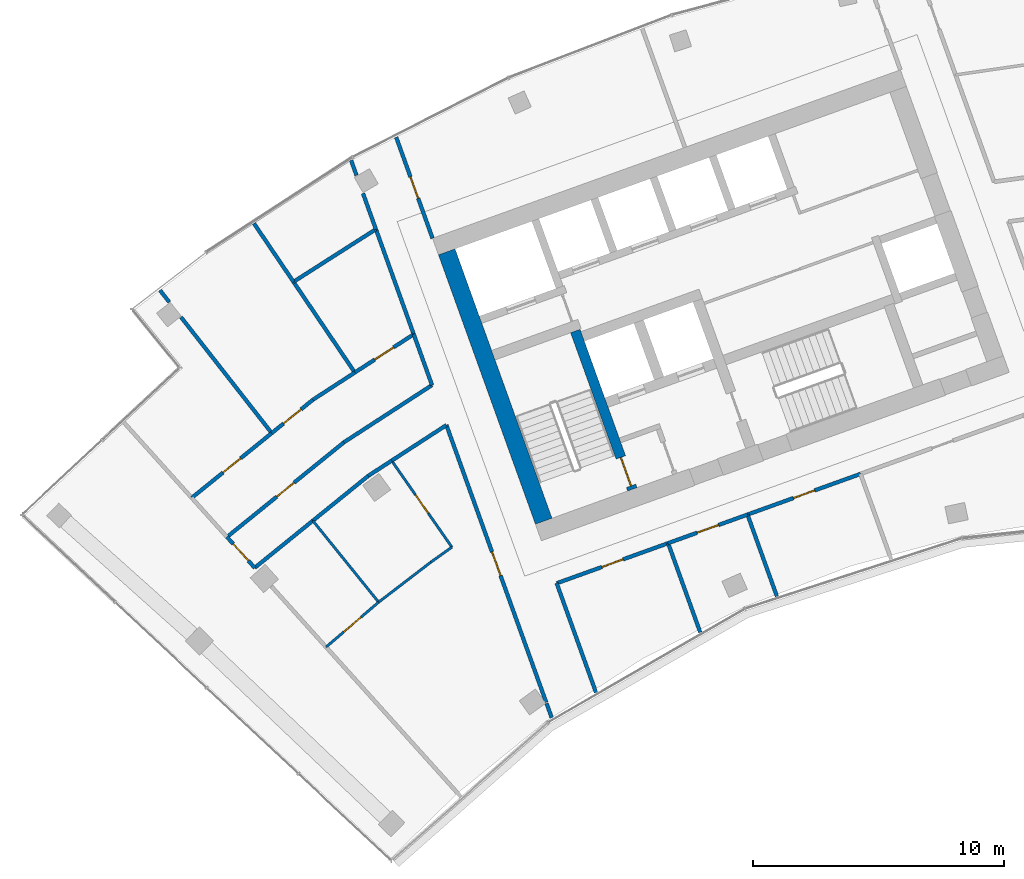
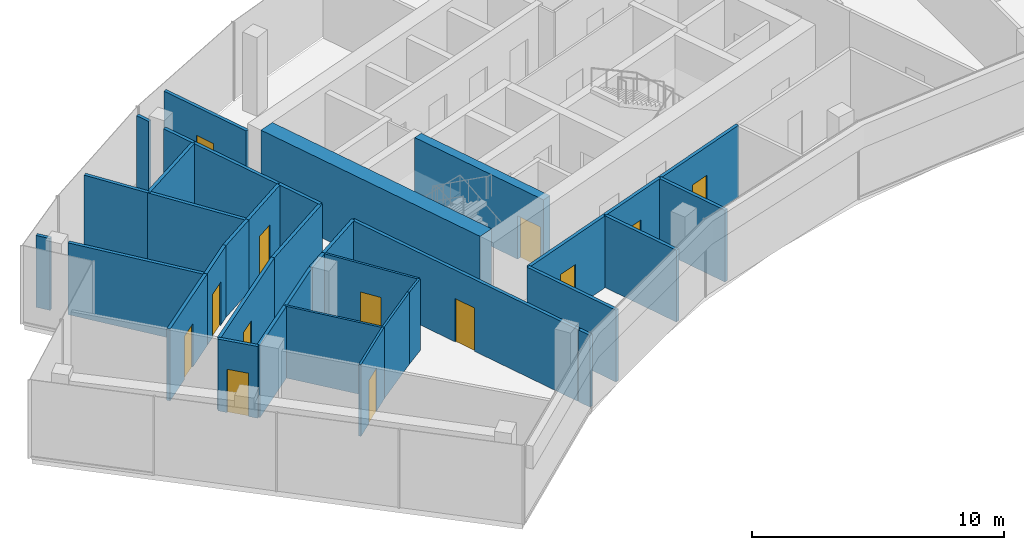
# One storey, part 12 of 18: 36 walls, 13 doors, 13 openings.
"""IFC4 building model written with IfcOpenShell, lengths in metres."""

from ifc_helpers import new_model, si_unit, direction, frame, frame_2d, origin, place, context, subcontext, project, spatial, rectangle, extrude, material, layer, layer_set, type_object, element, fill, save


model = new_model("IFC4")

# Units and contexts
model_context = context("Model", 3, precision=1e-05, world=origin(), true_north=direction((0.0, 1.0)))
body_context = subcontext(model_context, "Body", "Model", "MODEL_VIEW")
ifc_project = project(units=[si_unit("LENGTHUNIT", "METRE"), si_unit("AREAUNIT", "SQUARE_METRE"), si_unit("VOLUMEUNIT", "CUBIC_METRE"), si_unit("PLANEANGLEUNIT", "RADIAN"), si_unit("MASSUNIT", "GRAM", prefix="KILO")], contexts=[model_context])

# Site, building, storey
site_placement = place(None, origin())
site = spatial("IfcSite", under=ifc_project, at=site_placement, CompositionType="ELEMENT")
building_placement = place(site_placement, origin())
building = spatial("IfcBuilding", under=site, at=building_placement, Name="Stone Belt Terrace Tower", CompositionType="ELEMENT")
storey_placement = place(building_placement, frame((0.0, 0.0, 299.800048828125)))
storey = spatial("IfcBuildingStorey", under=building, at=storey_placement, Name="L73", CompositionType="ELEMENT", Elevation=299.800048828125)

# Wall
ifc_material_1 = material(Name="Concrete B60", Category="concrete")
ifc_layer_1 = layer(ifc_material_1, 0.699951171875)
ifc_layer_set_1 = layer_set([ifc_layer_1], Name="Core wall 700 B60")
wall_type_1 = type_object("IfcWallType", Name="Core wall 700 B60", PredefinedType="SHEAR", material=ifc_layer_set_1)
wall_1_placement = place(storey_placement, frame((-25.679931640625, 43.153564453125, 0.0), z_axis=(0.0, 0.0, 1.0), x_axis=(-0.338625431531, 0.940921259788, 0.0)))
element("IfcWall", 1, at=wall_1_placement, inside=storey, type_object=wall_type_1, Name="Core A wall end_a L73", PredefinedType="SHEAR", context=body_context, shape_type="SweptSolid", body=[
    extrude(rectangle(XDim=11.400146484375, YDim=0.699951171875, at=frame_2d((5.7001953125, 0.0))), origin(), (0.0, 0.0, 1.0), 3.800048828125),
])

# Wall, opening, door
ifc_material_2 = material(Name="Gypsum board partition")
ifc_layer_2 = layer(ifc_material_2, 0.10009765625)
ifc_layer_set_2 = layer_set([ifc_layer_2], Name="PARTITION 100")
wall_type_2 = type_object("IfcWallType", Name="PARTITION 100", PredefinedType="PARTITIONING", material=ifc_layer_set_2)
wall_2_placement = place(storey_placement, frame((-34.345947265625, 38.14501953125, 0.0), z_axis=(0.0, 0.0, 1.0), x_axis=(0.760714101822, 0.649087093763, 0.0)))
wall_2 = element("IfcWall", 2, at=wall_2_placement, inside=storey, type_object=wall_type_2, Name="L73/wall/i053", PredefinedType="PARTITIONING", context=body_context, shape_type="SweptSolid", body=[
    extrude(rectangle(XDim=2.75146484375, YDim=0.10009765625, at=frame_2d((1.375732421875, 0.0))), origin(), (0.0, 0.0, 1.0), 3.47998046875),
])
opening_1_placement = place(wall_2_placement, frame((0.92578125, 0.0, 0.0)))
opening_1 = element("IfcOpeningElement", 3, at=opening_1_placement, cuts=wall_2, Name="Opening D-E5-15", PredefinedType="OPENING", context=body_context, shape_type="SweptSolid", body=[
    extrude(rectangle(XDim=0.89990234375, YDim=2.10009765625, at=frame_2d((0.449951171875, 1.050048828125))), frame((0.0, 0.06005859375, 0.0), z_axis=(0.0, -1.0, 0.0), x_axis=(1.0, 0.0, 0.0)), (0.0, 0.0, 1.0), 0.1201171875),
])
ifc_material_3 = material(Name="Timber door leaf", Category="wood")
door_type_1 = type_object("IfcDoorType", Name="OFFICE DOOR 900 X 2100", OperationType="NOTDEFINED", PredefinedType="DOOR", material=ifc_material_3)
door_1_placement = place(opening_1_placement, origin())
door_1 = element("IfcDoor", 4, at=door_1_placement, inside=storey, type_object=door_type_1, Name="L73/door/i15", OperationType="SINGLE_SWING_RIGHT", OverallHeight=2.10009765625, OverallWidth=0.89990234375, PredefinedType="DOOR", context=body_context, shape_type="SweptSolid", body=[
    extrude(rectangle(XDim=0.89990234375, YDim=2.10009765625, at=frame_2d((0.449951171875, 1.050048828125))), frame((0.0, 0.02490234375, 0.0), z_axis=(0.0, -1.0, 0.0), x_axis=(1.0, 0.0, 0.0)), (0.0, 0.0, 1.0), 0.050048828125),
])
fill(opening_1, door_1)

# Walls
wall_3_placement = place(storey_placement, frame((-32.2529296875, 39.930908203125, 0.0), z_axis=(0.0, 0.0, 1.0), x_axis=(0.793612352495, 0.608423728965, 0.0)))
element("IfcWall", 5, at=wall_3_placement, inside=storey, type_object=wall_type_2, Name="L73/wall/i054", PredefinedType="PARTITIONING", context=body_context, shape_type="SweptSolid", body=[
    extrude(rectangle(XDim=2.62353515625, YDim=0.10009765625, at=frame_2d((1.311767578125, 0.0))), origin(), (0.0, 0.0, 1.0), 3.47998046875),
])
wall_4_placement = place(storey_placement, frame((-30.1708984375, 41.527099609375, 0.0), z_axis=(0.0, 0.0, 1.0), x_axis=(0.814842783231, 0.579682015088, 0.0)))
element("IfcWall", 6, at=wall_4_placement, inside=storey, type_object=wall_type_2, Name="L73/wall/i055", PredefinedType="PARTITIONING", context=body_context, shape_type="SweptSolid", body=[
    extrude(rectangle(XDim=1.024658203125, YDim=0.10009765625, at=frame_2d((0.51220703125, 0.0))), origin(), (0.0, 0.0, 1.0), 3.47998046875),
])

# Wall, opening, door
wall_5_placement = place(storey_placement, frame((-29.3359375, 42.12109375, 0.0), z_axis=(0.0, 0.0, 1.0), x_axis=(-0.571618252219, 0.820519697344, 0.0)))
wall_5 = element("IfcWall", 7, at=wall_5_placement, inside=storey, type_object=wall_type_2, Name="L73/wall/i056", PredefinedType="PARTITIONING", context=body_context, shape_type="SweptSolid", body=[
    extrude(rectangle(XDim=4.197265625, YDim=0.10009765625, at=frame_2d((2.0986328125, 0.0))), origin(), (0.0, 0.0, 1.0), 3.47998046875),
])
opening_2_placement = place(wall_5_placement, frame((1.648681640625, 0.0, 0.0)))
opening_2 = element("IfcOpeningElement", 8, at=opening_2_placement, cuts=wall_5, Name="Opening D-E5-16", PredefinedType="OPENING", context=body_context, shape_type="SweptSolid", body=[
    extrude(rectangle(XDim=0.89990234375, YDim=2.10009765625, at=frame_2d((0.449951171875, 1.050048828125))), frame((0.0, 0.06005859375, 0.0), z_axis=(0.0, -1.0, 0.0), x_axis=(1.0, 0.0, 0.0)), (0.0, 0.0, 1.0), 0.1201171875),
])
door_2_placement = place(opening_2_placement, origin())
door_2 = element("IfcDoor", 9, at=door_2_placement, inside=storey, type_object=door_type_1, Name="L73/door/i16", OperationType="SINGLE_SWING_RIGHT", OverallHeight=2.10009765625, OverallWidth=0.89990234375, PredefinedType="DOOR", context=body_context, shape_type="SweptSolid", body=[
    extrude(rectangle(XDim=0.89990234375, YDim=2.10009765625, at=frame_2d((0.449951171875, 1.050048828125))), frame((0.0, 0.02490234375, 0.0), z_axis=(0.0, -1.0, 0.0), x_axis=(1.0, 0.0, 0.0)), (0.0, 0.0, 1.0), 0.050048828125),
])
fill(opening_2, door_2)

# Walls
wall_6_placement = place(storey_placement, frame((-34.873046875, 43.174072265625, 0.0), z_axis=(0.0, 0.0, 1.0), x_axis=(0.628429786717, -0.777866314457, 0.0)))
element("IfcWall", 10, at=wall_6_placement, inside=storey, type_object=wall_type_2, Name="L73/wall/i057", PredefinedType="PARTITIONING", context=body_context, shape_type="SweptSolid", body=[
    extrude(rectangle(XDim=4.169189453125, YDim=0.10009765625, at=frame_2d((2.08447265625, 0.0))), origin(), (0.0, 0.0, 1.0), 3.47998046875),
])
ifc_layer_3 = layer(ifc_material_2, 0.14990234375)
ifc_layer_set_3 = layer_set([ifc_layer_3], Name="PARTITION 150 EI 60")
wall_type_3 = type_object("IfcWallType", Name="PARTITION 150 EI 60", PredefinedType="PARTITIONING", material=ifc_layer_set_3)
wall_7_placement = place(storey_placement, frame((-25.1650390625, 40.68896484375, 0.0), z_axis=(0.0, 0.0, 1.0), x_axis=(0.338609342271, -0.94092704995, 0.0)))
element("IfcWall", 11, at=wall_7_placement, inside=storey, type_object=wall_type_3, Name="L73/wall/i001", PredefinedType="PARTITIONING", context=body_context, shape_type="SweptSolid", body=[
    extrude(rectangle(XDim=4.6318359375, YDim=0.14990234375, at=frame_2d((2.31591796875, 0.0))), origin(), (0.0, 0.0, 1.0), 3.47998046875),
])

# Wall, opening, door
wall_8_placement = place(storey_placement, frame((-31.556884765625, 58.4521484375, 0.0), z_axis=(0.0, 0.0, 1.0), x_axis=(0.338580264222, -0.940937513695, 0.0)))
wall_8 = element("IfcWall", 12, at=wall_8_placement, inside=storey, type_object=wall_type_3, Name="L73/wall/i002", PredefinedType="PARTITIONING", context=body_context, shape_type="SweptSolid", body=[
    extrude(rectangle(XDim=4.285400390625, YDim=0.14990234375, at=frame_2d((2.142578125, 0.0))), origin(), (0.0, 0.0, 1.0), 3.47998046875),
])
opening_3_placement = place(wall_8_placement, frame((1.692626953125, 0.0, 0.0)))
opening_3 = element("IfcOpeningElement", 13, at=opening_3_placement, cuts=wall_8, Name="Opening D-E5-05", PredefinedType="OPENING", context=body_context, shape_type="SweptSolid", body=[
    extrude(rectangle(XDim=0.89990234375, YDim=2.10009765625, at=frame_2d((0.449951171875, 1.050048828125))), frame((0.0, 0.0849609375, 0.0), z_axis=(0.0, -1.0, 0.0), x_axis=(1.0, 0.0, 0.0)), (0.0, 0.0, 1.0), 0.169921875),
])
door_3_placement = place(opening_3_placement, origin())
door_3 = element("IfcDoor", 14, at=door_3_placement, inside=storey, type_object=door_type_1, Name="L73/door/i05", OperationType="SINGLE_SWING_RIGHT", OverallHeight=2.10009765625, OverallWidth=0.89990234375, PredefinedType="DOOR", context=body_context, shape_type="SweptSolid", body=[
    extrude(rectangle(XDim=0.89990234375, YDim=2.10009765625, at=frame_2d((0.449951171875, 1.050048828125))), frame((0.0, 0.02490234375, 0.0), z_axis=(0.0, -1.0, 0.0), x_axis=(1.0, 0.0, 0.0)), (0.0, 0.0, 1.0), 0.050048828125),
])
fill(opening_3, door_3)

# Wall
wall_9_placement = place(storey_placement, frame((-25.361083984375, 35.329833984375, 0.0), z_axis=(0.0, 0.0, 1.0), x_axis=(-0.338633814852, 0.940918242696, 0.0)))
element("IfcWall", 15, at=wall_9_placement, inside=storey, type_object=wall_type_3, Name="L73/wall/i003", PredefinedType="PARTITIONING", context=body_context, shape_type="SweptSolid", body=[
    extrude(rectangle(XDim=0.605712890625, YDim=0.14990234375, at=frame_2d((0.302734375, 0.0))), origin(), (0.0, 0.0, 1.0), 3.47998046875),
])

# Wall, opening, door
wall_10_placement = place(storey_placement, frame((-25.5810546875, 35.94091796875, 0.0), z_axis=(0.0, 0.0, 1.0), x_axis=(-0.338660555828, 0.940908618265, 0.0)))
wall_10 = element("IfcWall", 16, at=wall_10_placement, inside=storey, type_object=wall_type_3, Name="L73/wall/i004", PredefinedType="PARTITIONING", context=body_context, shape_type="SweptSolid", body=[
    extrude(rectangle(XDim=11.73974609375, YDim=0.14990234375, at=frame_2d((5.869873046875, 0.0))), origin(), (0.0, 0.0, 1.0), 3.47998046875),
])
opening_4_placement = place(wall_10_placement, frame((5.369873046875, 0.0, 0.0)))
opening_4 = element("IfcOpeningElement", 17, at=opening_4_placement, cuts=wall_10, Name="Opening D-E5-14", PredefinedType="OPENING", context=body_context, shape_type="SweptSolid", body=[
    extrude(rectangle(XDim=1.0, YDim=2.10009765625, at=frame_2d((0.5, 1.050048828125))), frame((0.0, 0.0849609375, 0.0), z_axis=(0.0, -1.0, 0.0), x_axis=(1.0, 0.0, 0.0)), (0.0, 0.0, 1.0), 0.169921875),
])
ifc_material_4 = material(Name="Timber fire door leaf", Category="wood")
door_type_2 = type_object("IfcDoorType", Name="TENANCY ENTRANCE DOOR 1000 X 2100", OperationType="NOTDEFINED", PredefinedType="DOOR", material=ifc_material_4)
door_4_placement = place(opening_4_placement, origin())
door_4 = element("IfcDoor", 18, at=door_4_placement, inside=storey, type_object=door_type_2, Name="L73/door/i14", OperationType="SINGLE_SWING_LEFT", OverallHeight=2.10009765625, OverallWidth=1.0, PredefinedType="DOOR", context=body_context, shape_type="SweptSolid", body=[
    extrude(rectangle(XDim=1.0, YDim=2.10009765625, at=frame_2d((0.5, 1.050048828125))), frame((0.0, 0.02490234375, 0.0), z_axis=(0.0, -1.0, 0.0), x_axis=(1.0, 0.0, 0.0)), (0.0, 0.0, 1.0), 0.050048828125),
])
fill(opening_4, door_4)

# Walls
wall_11_placement = place(storey_placement, frame((-30.1259765625, 48.568115234375, 0.0), z_axis=(0.0, 0.0, 1.0), x_axis=(-0.338315840616, 0.941032620045, 0.0)))
element("IfcWall", 19, at=wall_11_placement, inside=storey, type_object=wall_type_3, Name="L73/wall/i005", PredefinedType="PARTITIONING", context=body_context, shape_type="SweptSolid", body=[
    extrude(rectangle(XDim=2.16357421875, YDim=0.14990234375, at=frame_2d((1.081787109375, 0.0))), origin(), (0.0, 0.0, 1.0), 3.47998046875),
])
wall_12_placement = place(storey_placement, frame((-30.85400390625, 50.592041015625, 0.0), z_axis=(0.0, 0.0, 1.0), x_axis=(-0.338676809605, 0.940902767897, 0.0)))
element("IfcWall", 20, at=wall_12_placement, inside=storey, type_object=wall_type_3, Name="L73/wall/i006", PredefinedType="PARTITIONING", context=body_context, shape_type="SweptSolid", body=[
    extrude(rectangle(XDim=4.45849609375, YDim=0.14990234375, at=frame_2d((2.229248046875, 0.0))), origin(), (0.0, 0.0, 1.0), 3.47998046875),
])
wall_13_placement = place(storey_placement, frame((-32.360107421875, 54.77490234375, 0.0), z_axis=(0.0, 0.0, 1.0), x_axis=(-0.338469522462, 0.940977354863, 0.0)))
element("IfcWall", 21, at=wall_13_placement, inside=storey, type_object=wall_type_3, Name="L73/wall/i007", PredefinedType="PARTITIONING", context=body_context, shape_type="SweptSolid", body=[
    extrude(rectangle(XDim=1.52197265625, YDim=0.14990234375, at=frame_2d((0.760986328125, 0.0))), origin(), (0.0, 0.0, 1.0), 3.47998046875),
])
wall_14_placement = place(storey_placement, frame((-33.134765625, 56.928466796875, 0.0), z_axis=(0.0, 0.0, 1.0), x_axis=(-0.338733145318, 0.94088248802, 0.0)))
element("IfcWall", 22, at=wall_14_placement, inside=storey, type_object=wall_type_3, Name="L73/wall/i008", PredefinedType="PARTITIONING", context=body_context, shape_type="SweptSolid", body=[
    extrude(rectangle(XDim=0.632080078125, YDim=0.14990234375, at=frame_2d((0.31591796875, 0.0))), origin(), (0.0, 0.0, 1.0), 3.47998046875),
])

# Wall, opening, door
wall_15_placement = place(storey_placement, frame((-20.719970703125, 42.281982421875, 0.0), z_axis=(0.0, 0.0, 1.0), x_axis=(-0.94093090438, -0.338598631396, 0.0)))
wall_15 = element("IfcWall", 23, at=wall_15_placement, inside=storey, type_object=wall_type_3, Name="L73/wall/i015", PredefinedType="PARTITIONING", context=body_context, shape_type="SweptSolid", body=[
    extrude(rectangle(XDim=4.721923828125, YDim=0.14990234375, at=frame_2d((2.36083984375, 0.0))), origin(), (0.0, 0.0, 1.0), 3.47998046875),
])
opening_5_placement = place(wall_15_placement, frame((1.910888671875, 0.0, 0.0)))
opening_5 = element("IfcOpeningElement", 24, at=opening_5_placement, cuts=wall_15, Name="Opening D-E5-01", PredefinedType="OPENING", context=body_context, shape_type="SweptSolid", body=[
    extrude(rectangle(XDim=0.89990234375, YDim=2.10009765625, at=frame_2d((0.449951171875, 1.050048828125))), frame((0.0, 0.0849609375, 0.0), z_axis=(0.0, -1.0, 0.0), x_axis=(1.0, 0.0, 0.0)), (0.0, 0.0, 1.0), 0.169921875),
])
door_5_placement = place(opening_5_placement, origin())
door_5 = element("IfcDoor", 25, at=door_5_placement, inside=storey, type_object=door_type_1, Name="L73/door/i01", OperationType="SINGLE_SWING_RIGHT", OverallHeight=2.10009765625, OverallWidth=0.89990234375, PredefinedType="DOOR", context=body_context, shape_type="SweptSolid", body=[
    extrude(rectangle(XDim=0.89990234375, YDim=2.10009765625, at=frame_2d((0.449951171875, 1.050048828125))), frame((0.0, 0.02490234375, 0.0), z_axis=(0.0, -1.0, 0.0), x_axis=(1.0, 0.0, 0.0)), (0.0, 0.0, 1.0), 0.050048828125),
])
fill(opening_5, door_5)

wall_16_placement = place(storey_placement, frame((-17.56005859375, 43.419921875, 0.0), z_axis=(0.0, 0.0, 1.0), x_axis=(-0.940890181469, -0.338711774841, 0.0)))
wall_16 = element("IfcWall", 26, at=wall_16_placement, inside=storey, type_object=wall_type_3, Name="L73/wall/i016", PredefinedType="PARTITIONING", context=body_context, shape_type="SweptSolid", body=[
    extrude(rectangle(XDim=3.37109375, YDim=0.14990234375, at=frame_2d((1.685546875, 0.0))), origin(), (0.0, 0.0, 1.0), 3.47998046875),
])
opening_6_placement = place(wall_16_placement, frame((1.235595703125, 0.0, 0.0)))
opening_6 = element("IfcOpeningElement", 27, at=opening_6_placement, cuts=wall_16, Name="Opening D-E5-02", PredefinedType="OPENING", context=body_context, shape_type="SweptSolid", body=[
    extrude(rectangle(XDim=0.89990234375, YDim=2.10009765625, at=frame_2d((0.449951171875, 1.050048828125))), frame((0.0, 0.0849609375, 0.0), z_axis=(0.0, -1.0, 0.0), x_axis=(1.0, 0.0, 0.0)), (0.0, 0.0, 1.0), 0.169921875),
])
door_6_placement = place(opening_6_placement, origin())
door_6 = element("IfcDoor", 28, at=door_6_placement, inside=storey, type_object=door_type_1, Name="L73/door/i02", OperationType="SINGLE_SWING_RIGHT", OverallHeight=2.10009765625, OverallWidth=0.89990234375, PredefinedType="DOOR", context=body_context, shape_type="SweptSolid", body=[
    extrude(rectangle(XDim=0.89990234375, YDim=2.10009765625, at=frame_2d((0.449951171875, 1.050048828125))), frame((0.0, 0.02490234375, 0.0), z_axis=(0.0, -1.0, 0.0), x_axis=(1.0, 0.0, 0.0)), (0.0, 0.0, 1.0), 0.050048828125),
])
fill(opening_6, door_6)

wall_17_placement = place(storey_placement, frame((-13.06103515625, 45.0390625, 0.0), z_axis=(0.0, 0.0, 1.0), x_axis=(-0.94092441718, -0.338616658118, 0.0)))
wall_17 = element("IfcWall", 29, at=wall_17_placement, inside=storey, type_object=wall_type_3, Name="L73/wall/i017", PredefinedType="PARTITIONING", context=body_context, shape_type="SweptSolid", body=[
    extrude(rectangle(XDim=4.793212890625, YDim=0.14990234375, at=frame_2d((2.396484375, 0.0))), origin(), (0.0, 0.0, 1.0), 3.47998046875),
])
opening_7_placement = place(wall_17_placement, frame((1.946533203125, 0.0, 0.0)))
opening_7 = element("IfcOpeningElement", 30, at=opening_7_placement, cuts=wall_17, Name="Opening D-E5-03", PredefinedType="OPENING", context=body_context, shape_type="SweptSolid", body=[
    extrude(rectangle(XDim=0.89990234375, YDim=2.10009765625, at=frame_2d((0.449951171875, 1.050048828125))), frame((0.0, 0.0849609375, 0.0), z_axis=(0.0, -1.0, 0.0), x_axis=(1.0, 0.0, 0.0)), (0.0, 0.0, 1.0), 0.169921875),
])
door_7_placement = place(opening_7_placement, origin())
door_7 = element("IfcDoor", 31, at=door_7_placement, inside=storey, type_object=door_type_1, Name="L73/door/i03", OperationType="SINGLE_SWING_RIGHT", OverallHeight=2.10009765625, OverallWidth=0.89990234375, PredefinedType="DOOR", context=body_context, shape_type="SweptSolid", body=[
    extrude(rectangle(XDim=0.89990234375, YDim=2.10009765625, at=frame_2d((0.449951171875, 1.050048828125))), frame((0.0, 0.02490234375, 0.0), z_axis=(0.0, -1.0, 0.0), x_axis=(1.0, 0.0, 0.0)), (0.0, 0.0, 1.0), 0.050048828125),
])
fill(opening_7, door_7)

# Walls
wall_18_placement = place(storey_placement, frame((-20.72607421875, 42.280029296875, 0.0), z_axis=(0.0, 0.0, 1.0), x_axis=(0.338751516989, -0.940875873714, 0.0)))
element("IfcWall", 32, at=wall_18_placement, inside=storey, type_object=wall_type_3, Name="L73/wall/i019", PredefinedType="PARTITIONING", context=body_context, shape_type="SweptSolid", body=[
    extrude(rectangle(XDim=3.776611328125, YDim=0.14990234375, at=frame_2d((1.88818359375, 0.0))), origin(), (0.0, 0.0, 1.0), 3.47998046875),
])
wall_19_placement = place(storey_placement, frame((-17.56494140625, 43.4169921875, 0.0), z_axis=(0.0, 0.0, 1.0), x_axis=(0.338494573949, -0.940968343467, 0.0)))
element("IfcWall", 33, at=wall_19_placement, inside=storey, type_object=wall_type_3, Name="L73/wall/i020", PredefinedType="PARTITIONING", context=body_context, shape_type="SweptSolid", body=[
    extrude(rectangle(XDim=3.4599609375, YDim=0.14990234375, at=frame_2d((1.72998046875, 0.0))), origin(), (0.0, 0.0, 1.0), 3.47998046875),
])

# Wall, opening, door
wall_20_placement = place(storey_placement, frame((-37.18310546875, 41.294921875, 0.0), z_axis=(0.0, 0.0, 1.0), x_axis=(-0.669037778615, 0.743228397456, 0.0)))
wall_20 = element("IfcWall", 34, at=wall_20_placement, inside=storey, type_object=wall_type_3, Name="L73/wall/i042", PredefinedType="PARTITIONING", context=body_context, shape_type="SweptSolid", body=[
    extrude(rectangle(XDim=1.661865234375, YDim=0.14990234375, at=frame_2d((0.8310546875, 0.0))), origin(), (0.0, 0.0, 1.0), 3.47998046875),
])
opening_8_placement = place(wall_20_placement, frame((0.380859375, 0.0, 0.0)))
opening_8 = element("IfcOpeningElement", 35, at=opening_8_placement, cuts=wall_20, Name="Opening D-E5-13", PredefinedType="OPENING", context=body_context, shape_type="SweptSolid", body=[
    extrude(rectangle(XDim=0.89990234375, YDim=2.10009765625, at=frame_2d((0.449951171875, 1.050048828125))), frame((0.0, 0.0849609375, 0.0), z_axis=(0.0, -1.0, 0.0), x_axis=(1.0, 0.0, 0.0)), (0.0, 0.0, 1.0), 0.169921875),
])
door_8_placement = place(opening_8_placement, origin())
door_8 = element("IfcDoor", 36, at=door_8_placement, inside=storey, type_object=door_type_1, Name="L73/door/i13", OperationType="SINGLE_SWING_RIGHT", OverallHeight=2.10009765625, OverallWidth=0.89990234375, PredefinedType="DOOR", context=body_context, shape_type="SweptSolid", body=[
    extrude(rectangle(XDim=0.89990234375, YDim=2.10009765625, at=frame_2d((0.449951171875, 1.050048828125))), frame((0.0, 0.02490234375, 0.0), z_axis=(0.0, -1.0, 0.0), x_axis=(1.0, 0.0, 0.0)), (0.0, 0.0, 1.0), 0.050048828125),
])
fill(opening_8, door_8)

# Walls
wall_21_placement = place(storey_placement, frame((-29.554931640625, 46.98095703125, 0.0), z_axis=(0.0, 0.0, 1.0), x_axis=(-0.838679041063, -0.544625987336, 0.0)))
element("IfcWall", 37, at=wall_21_placement, inside=storey, type_object=wall_type_3, Name="L73/wall/i047", PredefinedType="PARTITIONING", context=body_context, shape_type="SweptSolid", body=[
    extrude(rectangle(XDim=2.60546875, YDim=0.14990234375, at=frame_2d((1.302734375, 0.0))), origin(), (0.0, 0.0, 1.0), 3.47998046875),
])
wall_22_placement = place(storey_placement, frame((-34.867919921875, 43.177978515625, 0.0), z_axis=(0.0, 0.0, 1.0), x_axis=(-0.777151504494, -0.629313545907, 0.0)))
element("IfcWall", 38, at=wall_22_placement, inside=storey, type_object=wall_type_3, Name="L73/wall/i048", PredefinedType="PARTITIONING", context=body_context, shape_type="SweptSolid", body=[
    extrude(rectangle(XDim=2.984130859375, YDim=0.14990234375, at=frame_2d((1.4921875, 0.0))), origin(), (0.0, 0.0, 1.0), 3.47998046875),
])
wall_23_placement = place(storey_placement, frame((-31.72998046875, 45.568115234375, 0.0), z_axis=(0.0, 0.0, 1.0), x_axis=(-0.838953186683, -0.544203592927, 0.0)))
element("IfcWall", 39, at=wall_23_placement, inside=storey, type_object=wall_type_3, Name="L73/wall/i049", PredefinedType="PARTITIONING", context=body_context, shape_type="SweptSolid", body=[
    extrude(rectangle(XDim=1.11572265625, YDim=0.14990234375, at=frame_2d((0.557861328125, 0.0))), origin(), (0.0, 0.0, 1.0), 3.47998046875),
])
wall_24_placement = place(storey_placement, frame((-32.666015625, 44.9609375, 0.0), z_axis=(0.0, 0.0, 1.0), x_axis=(-0.77717295087, -0.629287060439, 0.0)))
element("IfcWall", 40, at=wall_24_placement, inside=storey, type_object=wall_type_3, Name="L73/wall/i050", PredefinedType="PARTITIONING", context=body_context, shape_type="SweptSolid", body=[
    extrude(rectangle(XDim=2.84619140625, YDim=0.14990234375, at=frame_2d((1.423095703125, 0.0))), origin(), (0.0, 0.0, 1.0), 3.47998046875),
])

# Wall, opening, door
wall_25_placement = place(storey_placement, frame((-38.291015625, 42.52587890625, 0.0), z_axis=(0.0, 0.0, 1.0), x_axis=(0.777109127033, 0.629365875054, 0.0)))
wall_25 = element("IfcWall", 41, at=wall_25_placement, inside=storey, type_object=wall_type_3, Name="L73/wall/i051", PredefinedType="PARTITIONING", context=body_context, shape_type="SweptSolid", body=[
    extrude(rectangle(XDim=5.990234375, YDim=0.14990234375, at=frame_2d((2.9951171875, 0.0))), origin(), (0.0, 0.0, 1.0), 3.47998046875),
])
opening_9_placement = place(wall_25_placement, frame((2.545166015625, 0.0, 0.0)))
opening_9 = element("IfcOpeningElement", 42, at=opening_9_placement, cuts=wall_25, Name="Opening D-E5-17", PredefinedType="OPENING", context=body_context, shape_type="SweptSolid", body=[
    extrude(rectangle(XDim=0.89990234375, YDim=2.10009765625, at=frame_2d((0.449951171875, 1.050048828125))), frame((0.0, 0.0849609375, 0.0), z_axis=(0.0, -1.0, 0.0), x_axis=(1.0, 0.0, 0.0)), (0.0, 0.0, 1.0), 0.169921875),
])
door_9_placement = place(opening_9_placement, origin())
door_9 = element("IfcDoor", 43, at=door_9_placement, inside=storey, type_object=door_type_1, Name="L73/door/i17", OperationType="SINGLE_SWING_RIGHT", OverallHeight=2.10009765625, OverallWidth=0.89990234375, PredefinedType="DOOR", context=body_context, shape_type="SweptSolid", body=[
    extrude(rectangle(XDim=0.89990234375, YDim=2.10009765625, at=frame_2d((0.449951171875, 1.050048828125))), frame((0.0, 0.02490234375, 0.0), z_axis=(0.0, -1.0, 0.0), x_axis=(1.0, 0.0, 0.0)), (0.0, 0.0, 1.0), 0.050048828125),
])
fill(opening_9, door_9)

# Wall
wall_26_placement = place(storey_placement, frame((-33.635986328125, 46.2958984375, 0.0), z_axis=(0.0, 0.0, 1.0), x_axis=(0.838679571288, 0.544625170832, 0.0)))
element("IfcWall", 44, at=wall_26_placement, inside=storey, type_object=wall_type_3, Name="L73/wall/i052", PredefinedType="PARTITIONING", context=body_context, shape_type="SweptSolid", body=[
    extrude(rectangle(XDim=4.182861328125, YDim=0.14990234375, at=frame_2d((2.09130859375, 0.0))), origin(), (0.0, 0.0, 1.0), 3.47998046875),
])

# Wall, opening, door
wall_27_placement = place(storey_placement, frame((-39.694091796875, 44.0849609375, 0.0), z_axis=(0.0, 0.0, 1.0), x_axis=(0.777210230824, 0.629241016703, 0.0)))
wall_27 = element("IfcWall", 45, at=wall_27_placement, inside=storey, type_object=wall_type_3, Name="L73/wall/i058", PredefinedType="PARTITIONING", context=body_context, shape_type="SweptSolid", body=[
    extrude(rectangle(XDim=4.103515625, YDim=0.14990234375, at=frame_2d((2.0517578125, 0.0))), origin(), (0.0, 0.0, 1.0), 3.47998046875),
])
opening_10_placement = place(wall_27_placement, frame((1.6015625, 0.0, 0.0)))
opening_10 = element("IfcOpeningElement", 46, at=opening_10_placement, cuts=wall_27, Name="Opening D-E5-18", PredefinedType="OPENING", context=body_context, shape_type="SweptSolid", body=[
    extrude(rectangle(XDim=0.89990234375, YDim=2.10009765625, at=frame_2d((0.449951171875, 1.050048828125))), frame((0.0, 0.0849609375, 0.0), z_axis=(0.0, -1.0, 0.0), x_axis=(1.0, 0.0, 0.0)), (0.0, 0.0, 1.0), 0.169921875),
])
door_10_placement = place(opening_10_placement, origin())
door_10 = element("IfcDoor", 47, at=door_10_placement, inside=storey, type_object=door_type_1, Name="L73/door/i18", OperationType="SINGLE_SWING_RIGHT", OverallHeight=2.10009765625, OverallWidth=0.89990234375, PredefinedType="DOOR", context=body_context, shape_type="SweptSolid", body=[
    extrude(rectangle(XDim=0.89990234375, YDim=2.10009765625, at=frame_2d((0.449951171875, 1.050048828125))), frame((0.0, 0.02490234375, 0.0), z_axis=(0.0, -1.0, 0.0), x_axis=(1.0, 0.0, 0.0)), (0.0, 0.0, 1.0), 0.050048828125),
])
fill(opening_10, door_10)

wall_28_placement = place(storey_placement, frame((-36.513916015625, 46.659912109375, 0.0), z_axis=(0.0, 0.0, 1.0), x_axis=(0.777164283985, 0.629297763939, 0.0)))
wall_28 = element("IfcWall", 48, at=wall_28_placement, inside=storey, type_object=wall_type_3, Name="L73/wall/i059", PredefinedType="PARTITIONING", context=body_context, shape_type="SweptSolid", body=[
    extrude(rectangle(XDim=2.11669921875, YDim=0.14990234375, at=frame_2d((1.058349609375, 0.0))), origin(), (0.0, 0.0, 1.0), 3.47998046875),
])
opening_11_placement = place(wall_28_placement, frame((0.6083984375, 0.0, 0.0)))
opening_11 = element("IfcOpeningElement", 49, at=opening_11_placement, cuts=wall_28, Name="Opening D-E5-19", PredefinedType="OPENING", context=body_context, shape_type="SweptSolid", body=[
    extrude(rectangle(XDim=0.89990234375, YDim=2.10009765625, at=frame_2d((0.449951171875, 1.050048828125))), frame((0.0, 0.0849609375, 0.0), z_axis=(0.0, -1.0, 0.0), x_axis=(1.0, 0.0, 0.0)), (0.0, 0.0, 1.0), 0.169921875),
])
door_11_placement = place(opening_11_placement, origin())
door_11 = element("IfcDoor", 50, at=door_11_placement, inside=storey, type_object=door_type_1, Name="L73/door/i19", OperationType="SINGLE_SWING_RIGHT", OverallHeight=2.10009765625, OverallWidth=0.89990234375, PredefinedType="DOOR", context=body_context, shape_type="SweptSolid", body=[
    extrude(rectangle(XDim=0.89990234375, YDim=2.10009765625, at=frame_2d((0.449951171875, 1.050048828125))), frame((0.0, 0.02490234375, 0.0), z_axis=(0.0, -1.0, 0.0), x_axis=(1.0, 0.0, 0.0)), (0.0, 0.0, 1.0), 0.050048828125),
])
fill(opening_11, door_11)

# Wall
wall_29_placement = place(storey_placement, frame((-34.868896484375, 47.991943359375, 0.0), z_axis=(0.0, 0.0, 1.0), x_axis=(0.838767892149, 0.544489139562, 0.0)))
element("IfcWall", 51, at=wall_29_placement, inside=storey, type_object=wall_type_3, Name="L73/wall/i060", PredefinedType="PARTITIONING", context=body_context, shape_type="SweptSolid", body=[
    extrude(rectangle(XDim=1.994384765625, YDim=0.14990234375, at=frame_2d((0.9970703125, 0.0))), origin(), (0.0, 0.0, 1.0), 3.47998046875),
])

# Wall, opening, door
wall_30_placement = place(storey_placement, frame((-33.2060546875, 49.072021484375, 0.0), z_axis=(0.0, 0.0, 1.0), x_axis=(0.838718223529, 0.544565644822, 0.0)))
wall_30 = element("IfcWall", 52, at=wall_30_placement, inside=storey, type_object=wall_type_3, Name="L73/wall/i061", PredefinedType="PARTITIONING", context=body_context, shape_type="SweptSolid", body=[
    extrude(rectangle(XDim=2.802001953125, YDim=0.14990234375, at=frame_2d((1.40087890625, 0.0))), origin(), (0.0, 0.0, 1.0), 3.47998046875),
])
opening_12_placement = place(wall_30_placement, frame((0.950927734375, 0.0, 0.0)))
opening_12 = element("IfcOpeningElement", 53, at=opening_12_placement, cuts=wall_30, Name="Opening D-E5-20", PredefinedType="OPENING", context=body_context, shape_type="SweptSolid", body=[
    extrude(rectangle(XDim=0.89990234375, YDim=2.10009765625, at=frame_2d((0.449951171875, 1.050048828125))), frame((0.0, 0.0849609375, 0.0), z_axis=(0.0, -1.0, 0.0), x_axis=(1.0, 0.0, 0.0)), (0.0, 0.0, 1.0), 0.169921875),
])
door_12_placement = place(opening_12_placement, origin())
door_12 = element("IfcDoor", 54, at=door_12_placement, inside=storey, type_object=door_type_1, Name="L73/door/i20", OperationType="SINGLE_SWING_RIGHT", OverallHeight=2.10009765625, OverallWidth=0.89990234375, PredefinedType="DOOR", context=body_context, shape_type="SweptSolid", body=[
    extrude(rectangle(XDim=0.89990234375, YDim=2.10009765625, at=frame_2d((0.449951171875, 1.050048828125))), frame((0.0, 0.02490234375, 0.0), z_axis=(0.0, -1.0, 0.0), x_axis=(1.0, 0.0, 0.0)), (0.0, 0.0, 1.0), 0.050048828125),
])
fill(opening_12, door_12)

# Walls
wall_31_placement = place(storey_placement, frame((-40.963623046875, 52.356689453125, 0.0), z_axis=(0.0, 0.0, 1.0), x_axis=(0.616134966401, -0.787640592642, 0.0)))
element("IfcWall", 55, at=wall_31_placement, inside=storey, type_object=wall_type_3, Name="L73/wall/i062", PredefinedType="PARTITIONING", context=body_context, shape_type="SweptSolid", body=[
    extrude(rectangle(XDim=0.60791015625, YDim=0.14990234375, at=frame_2d((0.303955078125, 0.0))), origin(), (0.0, 0.0, 1.0), 3.47998046875),
])
wall_32_placement = place(storey_placement, frame((-40.120849609375, 51.279541015625, 0.0), z_axis=(0.0, 0.0, 1.0), x_axis=(0.616173451087, -0.787610486329, 0.0)))
element("IfcWall", 56, at=wall_32_placement, inside=storey, type_object=wall_type_3, Name="L73/wall/i063", PredefinedType="PARTITIONING", context=body_context, shape_type="SweptSolid", body=[
    extrude(rectangle(XDim=5.860107421875, YDim=0.14990234375, at=frame_2d((2.93017578125, 0.0))), origin(), (0.0, 0.0, 1.0), 3.47998046875),
])
wall_33_placement = place(storey_placement, frame((-35.64697265625, 52.69091796875, 0.0), z_axis=(0.0, 0.0, 1.0), x_axis=(0.560301468636, -0.82828875656, 0.0)))
element("IfcWall", 57, at=wall_33_placement, inside=storey, type_object=wall_type_3, Name="L73/wall/i064", PredefinedType="PARTITIONING", context=body_context, shape_type="SweptSolid", body=[
    extrude(rectangle(XDim=4.365478515625, YDim=0.14990234375, at=frame_2d((2.1826171875, 0.0))), origin(), (0.0, 0.0, 1.0), 3.47998046875),
])
wall_34_placement = place(storey_placement, frame((-37.218017578125, 55.013916015625, 0.0), z_axis=(0.0, 0.0, 1.0), x_axis=(0.56028837955, -0.828297610609, 0.0)))
element("IfcWall", 58, at=wall_34_placement, inside=storey, type_object=wall_type_3, Name="L73/wall/i065", PredefinedType="PARTITIONING", context=body_context, shape_type="SweptSolid", body=[
    extrude(rectangle(XDim=2.816650390625, YDim=0.14990234375, at=frame_2d((1.408203125, 0.0))), origin(), (0.0, 0.0, 1.0), 3.47998046875),
])
wall_35_placement = place(storey_placement, frame((-35.64404296875, 52.68603515625, 0.0), z_axis=(0.0, 0.0, 1.0), x_axis=(0.842911923686, 0.538051567146, 0.0)))
element("IfcWall", 59, at=wall_35_placement, inside=storey, type_object=wall_type_3, Name="L73/wall/i066", PredefinedType="PARTITIONING", context=body_context, shape_type="SweptSolid", body=[
    extrude(rectangle(XDim=3.8935546875, YDim=0.14990234375, at=frame_2d((1.94677734375, 0.0))), origin(), (0.0, 0.0, 1.0), 3.47998046875),
])

# Wall, opening, door
ifc_material_5 = material(Name="Concrete B80", Category="concrete")
ifc_layer_4 = layer(ifc_material_5, 0.39990234375)
ifc_layer_set_4 = layer_set([ifc_layer_4], Name="Stair enclosure wall 400")
wall_type_4 = type_object("IfcWallType", Name="Stair enclosure wall 400", PredefinedType="SHEAR", material=ifc_layer_set_4)
wall_36_placement = place(storey_placement, frame((-22.151611328125, 44.42333984375, 0.0), z_axis=(0.0, 0.0, 1.0), x_axis=(-0.338625272931, 0.940921316866, 0.0)))
wall_36 = element("IfcWall", 60, at=wall_36_placement, inside=storey, type_object=wall_type_4, Name="Core A wall", PredefinedType="SHEAR", context=body_context, shape_type="SweptSolid", body=[
    extrude(rectangle(XDim=6.699951171875, YDim=0.39990234375, at=frame_2d((3.35009765625, 0.0))), origin(), (0.0, 0.0, 1.0), 3.47998046875),
])
opening_13_placement = place(wall_36_placement, frame((0.14990234375, 0.0, 0.0)))
opening_13 = element("IfcOpeningElement", 61, at=opening_13_placement, cuts=wall_36, Name="Opening L73-C05", PredefinedType="OPENING", context=body_context, shape_type="SweptSolid", body=[
    extrude(rectangle(XDim=1.199951171875, YDim=2.10009765625, at=frame_2d((0.60009765625, 1.050048828125))), frame((0.0, 0.2099609375, 0.0), z_axis=(0.0, -1.0, 0.0), x_axis=(1.0, 0.0, 0.0)), (0.0, 0.0, 1.0), 0.419921875),
])
ifc_material_6 = material(Name="Steel door leaf", Category="steel")
door_type_3 = type_object("IfcDoorType", Name="Stair door 1200", OperationType="SINGLE_SWING_LEFT", PredefinedType="DOOR", material=ifc_material_6)
door_13_placement = place(opening_13_placement, origin())
door_13 = element("IfcDoor", 62, at=door_13_placement, inside=storey, type_object=door_type_3, Name="Stair 1 door core A", OperationType="SINGLE_SWING_LEFT", OverallHeight=2.10009765625, OverallWidth=1.199951171875, PredefinedType="DOOR", context=body_context, shape_type="SweptSolid", body=[
    extrude(rectangle(XDim=1.199951171875, YDim=2.10009765625, at=frame_2d((0.60009765625, 1.050048828125))), frame((0.0, 0.02490234375, 0.0), z_axis=(0.0, -1.0, 0.0), x_axis=(1.0, 0.0, 0.0)), (0.0, 0.0, 1.0), 0.050048828125),
])
fill(opening_13, door_13)

save(model, "model.ifc")
